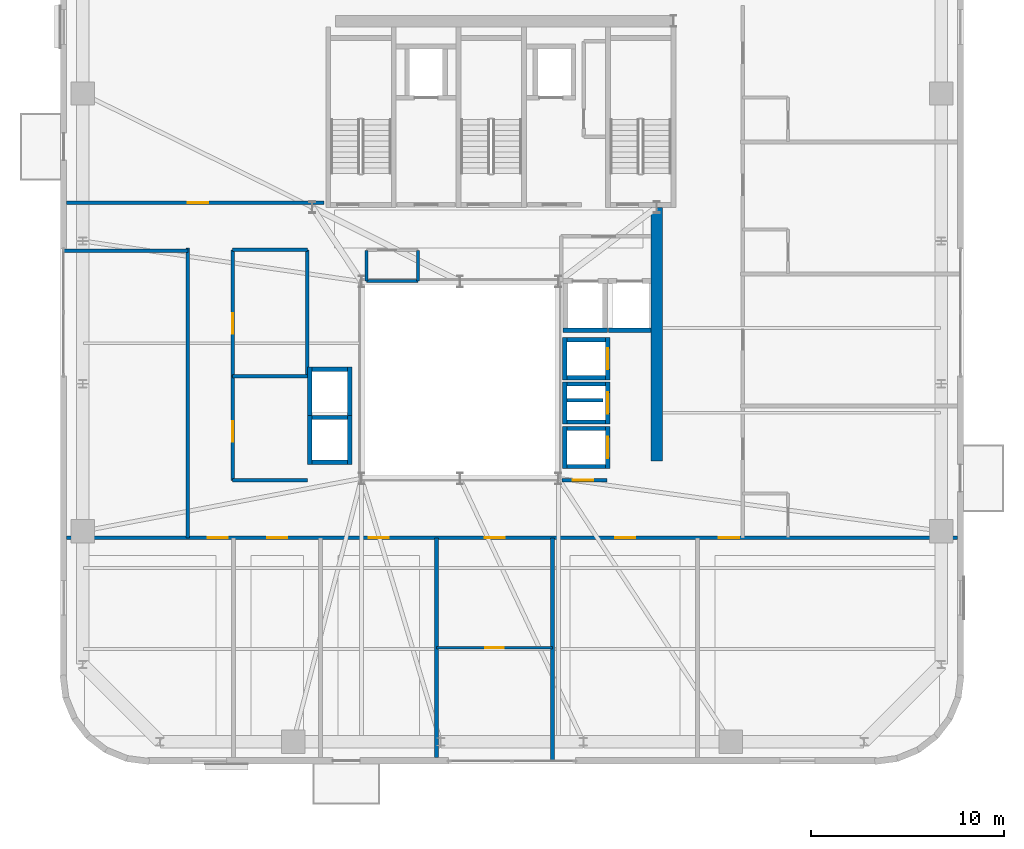
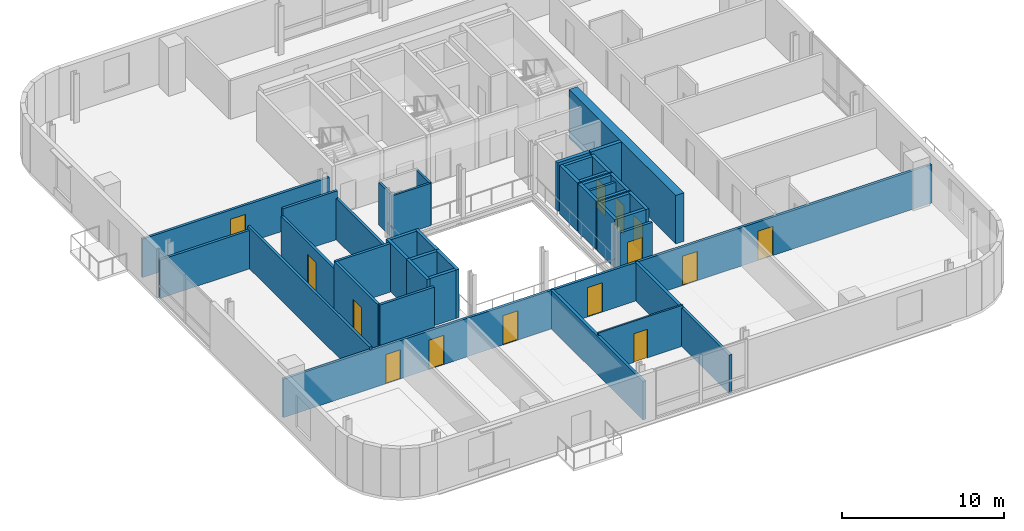
# One storey, part 8 of 15: 40 walls, 14 doors, 14 openings.
"""IFC4 building model written with IfcOpenShell, lengths in metres."""

from ifc_helpers import new_model, si_unit, direction, frame, frame_2d, origin, place, context, subcontext, project, spatial, rectangle, extrude, source, transform, mapped, material, layer, layer_set, type_object, element, fill, save


model = new_model("IFC4")

# Units and contexts
model_context = context("Model", 3, precision=1e-05, world=origin(), true_north=direction((0.0, 1.0)))
body_context = subcontext(model_context, "Body", "Model", "MODEL_VIEW")
ifc_project = project(units=[si_unit("LENGTHUNIT", "METRE"), si_unit("AREAUNIT", "SQUARE_METRE"), si_unit("VOLUMEUNIT", "CUBIC_METRE"), si_unit("PLANEANGLEUNIT", "RADIAN"), si_unit("MASSUNIT", "GRAM", prefix="KILO")], contexts=[model_context])

# Site, building, storey
site_placement = place(None, origin())
site = spatial("IfcSite", under=ifc_project, at=site_placement, CompositionType="ELEMENT")
building_placement = place(site_placement, origin())
building = spatial("IfcBuilding", under=site, at=building_placement, Name="Vardaveli Station Tower", CompositionType="ELEMENT")
storey_placement = place(building_placement, frame((0.0, 0.0, 250.60009765625)))
storey = spatial("IfcBuildingStorey", under=building, at=storey_placement, Name="L64", CompositionType="ELEMENT", Elevation=250.60009765625)

# Walls
ifc_material_1 = material(Name="Concrete C50/60", Category="concrete")
ifc_layer_1 = layer(ifc_material_1, 0.60009765625, Name="Concrete C50/60")
ifc_layer_set_1 = layer_set([ifc_layer_1], Name="Concrete C50/60")
wall_type_1 = type_object("IfcWallType", Name="WAL-CORE-600", PredefinedType="SHEAR", material=ifc_layer_set_1)
shared_shape_1 = source(origin(), body_context, "Body", "SweptSolid", [
    extrude(rectangle(XDim=13.14990234375, YDim=0.60009765625, at=frame_2d((6.574951171875, 0.0))), origin(), (0.0, 0.0, 1.0), 3.64990234375),
])
wall_1_placement = place(storey_placement, frame((46.5, 17.5, 0.0), z_axis=(0.0, 0.0, 1.0), x_axis=(0.0, 1.0, 0.0)))
element("IfcWall", 1, at=wall_1_placement, inside=storey, type_object=wall_type_1, Name="SW-L64-EAST2", PredefinedType="SHEAR", context=body_context, shape_type="MappedRepresentation", body=[
    mapped(shared_shape_1, transform((0.0, 0.0, 0.0), scale=1.0)),
])
ifc_material_2 = material(Name="Concrete C40/50", Category="concrete")
ifc_layer_2 = layer(ifc_material_2, 0.219970703125, Name="Concrete C40/50")
ifc_layer_set_2 = layer_set([ifc_layer_2], Name="Concrete C40/50")
wall_type_2 = type_object("IfcWallType", Name="WAL-FFLOBBY-220", PredefinedType="SOLIDWALL", material=ifc_layer_set_2)
shared_shape_2 = source(origin(), body_context, "Body", "SweptSolid", [
    extrude(rectangle(XDim=2.0, YDim=0.219970703125, at=frame_2d((1.0, 0.0))), origin(), (0.0, 0.0, 1.0), 3.64990234375),
])
for number, where, z_axis, x_axis, name in (
    (2, (41.85009765625, 21.81494140625, 0.0), (0.0, 0.0, 1.0), (1.0, 0.0, 0.0), "SHW-HL3-01-L64-S"),
    (3, (41.85009765625, 23.784912109375, 0.0), (0.0, 0.0, 1.0), (1.0, 0.0, 0.0), "SHW-HL3-01-L64-N"),
    (4, (41.85009765625, 19.514892578125, 0.0), (0.0, 0.0, 1.0), (1.0, 0.0, 0.0), "SHW-HL3-02-L64-S"),
    (5, (41.85009765625, 21.485107421875, 0.0), (0.0, 0.0, 1.0), (1.0, 0.0, 0.0), "SHW-HL3-02-L64-N"),
    (6, (41.85009765625, 17.215087890625, 0.0), (0.0, 0.0, 1.0), (1.0, 0.0, 0.0), "SHW-HL3-03-L64-S"),
    (7, (41.85009765625, 19.18505859375, 0.0), (0.0, 0.0, 1.0), (1.0, 0.0, 0.0), "SHW-HL3-03-L64-N"),
):
    element("IfcWall", number, at=place(storey_placement, frame(where, z_axis=z_axis, x_axis=x_axis)), inside=storey, type_object=wall_type_2, Name=name, PredefinedType="SOLIDWALL", context=body_context, shape_type="MappedRepresentation", body=[
        mapped(shared_shape_2, transform((0.0, 0.0, 0.0), scale=1.0)),
    ])
shared_shape_3 = source(origin(), body_context, "Body", "SweptSolid", [
    extrude(rectangle(XDim=2.18994140625, YDim=0.219970703125, at=frame_2d((1.094970703125, 0.0))), origin(), (0.0, 0.0, 1.0), 3.64990234375),
])
wall_2_placement = place(storey_placement, frame((41.739990234375, 21.705078125, 0.0), z_axis=(0.0, 0.0, 1.0), x_axis=(0.0, 1.0, 0.0)))
element("IfcWall", 8, at=wall_2_placement, inside=storey, type_object=wall_type_2, Name="SHW-HL3-01-L64-W", PredefinedType="SOLIDWALL", context=body_context, shape_type="MappedRepresentation", body=[
    mapped(shared_shape_3, transform((0.0, 0.0, 0.0), scale=1.0)),
])

# Wall, opening, door
wall_3_placement = place(storey_placement, frame((43.9599609375, 21.705078125, 0.0), z_axis=(0.0, 0.0, 1.0), x_axis=(0.0, 1.0, 0.0)))
wall_3 = element("IfcWall", 9, at=wall_3_placement, inside=storey, type_object=wall_type_2, Name="SHW-HL3-01-L64-E", PredefinedType="SOLIDWALL", context=body_context, shape_type="MappedRepresentation", body=[
    mapped(shared_shape_3, transform((0.0, 0.0, 0.0), scale=1.0)),
])
shared_shape_4 = source(origin(), body_context, "Body", "SweptSolid", [
    extrude(rectangle(XDim=1.10009765625, YDim=2.199951171875, at=frame_2d((0.550048828125, 1.10009765625))), frame((0.0, 0.1201171875, 0.0), z_axis=(0.0, -1.0, 0.0), x_axis=(1.0, 0.0, 0.0)), (0.0, 0.0, 1.0), 0.239990234375),
])
opening_1_placement = place(wall_3_placement, frame((0.544921875, 0.0, 0.0)))
opening_1 = element("IfcOpeningElement", 10, at=opening_1_placement, cuts=wall_3, Name="Opening LD-01", PredefinedType="OPENING", context=body_context, shape_type="MappedRepresentation", body=[
    mapped(shared_shape_4, transform((0.0, 0.0, 0.0), scale=1.0)),
])
ifc_material_3 = material(Name="Brushed stainless steel", Category="steel")
door_type_1 = type_object("IfcDoorType", Name="DR-LD-1100x2200", OperationType="DOUBLE_DOOR_SLIDING", PredefinedType="DOOR", material=ifc_material_3)
shared_shape_5 = source(origin(), body_context, "Body", "SweptSolid", [
    extrude(rectangle(XDim=1.10009765625, YDim=2.199951171875, at=frame_2d((0.550048828125, 1.10009765625))), frame((0.0, 0.02490234375, 0.0), z_axis=(0.0, -1.0, 0.0), x_axis=(1.0, 0.0, 0.0)), (0.0, 0.0, 1.0), 0.050048828125),
])
door_1_placement = place(opening_1_placement, origin())
door_1 = element("IfcDoor", 11, at=door_1_placement, inside=storey, type_object=door_type_1, Name="LD-HL3-01-L64", OperationType="DOUBLE_DOOR_SLIDING", OverallHeight=2.199951171875, OverallWidth=1.10009765625, PredefinedType="DOOR", context=body_context, shape_type="MappedRepresentation", body=[
    mapped(shared_shape_5, transform((0.0, 0.0, 0.0), scale=1.0)),
])
fill(opening_1, door_1)

# Wall
wall_4_placement = place(storey_placement, frame((41.739990234375, 19.405029296875, 0.0), z_axis=(0.0, 0.0, 1.0), x_axis=(0.0, 1.0, 0.0)))
element("IfcWall", 12, at=wall_4_placement, inside=storey, type_object=wall_type_2, Name="SHW-HL3-02-L64-W", PredefinedType="SOLIDWALL", context=body_context, shape_type="MappedRepresentation", body=[
    mapped(shared_shape_3, transform((0.0, 0.0, 0.0), scale=1.0)),
])

# Wall, opening, door
wall_5_placement = place(storey_placement, frame((43.9599609375, 19.405029296875, 0.0), z_axis=(0.0, 0.0, 1.0), x_axis=(0.0, 1.0, 0.0)))
wall_5 = element("IfcWall", 13, at=wall_5_placement, inside=storey, type_object=wall_type_2, Name="SHW-HL3-02-L64-E", PredefinedType="SOLIDWALL", context=body_context, shape_type="MappedRepresentation", body=[
    mapped(shared_shape_3, transform((0.0, 0.0, 0.0), scale=1.0)),
])
opening_2_placement = place(wall_5_placement, frame((0.544921875, 0.0, 0.0)))
opening_2 = element("IfcOpeningElement", 14, at=opening_2_placement, cuts=wall_5, Name="Opening LD-01", PredefinedType="OPENING", context=body_context, shape_type="MappedRepresentation", body=[
    mapped(shared_shape_4, transform((0.0, 0.0, 0.0), scale=1.0)),
])
door_2_placement = place(opening_2_placement, origin())
door_2 = element("IfcDoor", 15, at=door_2_placement, inside=storey, type_object=door_type_1, Name="LD-HL3-02-L64", OperationType="DOUBLE_DOOR_SLIDING", OverallHeight=2.199951171875, OverallWidth=1.10009765625, PredefinedType="DOOR", context=body_context, shape_type="MappedRepresentation", body=[
    mapped(shared_shape_5, transform((0.0, 0.0, 0.0), scale=1.0)),
])
fill(opening_2, door_2)

# Wall
wall_6_placement = place(storey_placement, frame((41.739990234375, 17.10498046875, 0.0), z_axis=(0.0, 0.0, 1.0), x_axis=(0.0, 1.0, 0.0)))
element("IfcWall", 16, at=wall_6_placement, inside=storey, type_object=wall_type_2, Name="SHW-HL3-03-L64-W", PredefinedType="SOLIDWALL", context=body_context, shape_type="MappedRepresentation", body=[
    mapped(shared_shape_3, transform((0.0, 0.0, 0.0), scale=1.0)),
])

# Wall, opening, door
wall_7_placement = place(storey_placement, frame((43.9599609375, 17.10498046875, 0.0), z_axis=(0.0, 0.0, 1.0), x_axis=(0.0, 1.0, 0.0)))
wall_7 = element("IfcWall", 17, at=wall_7_placement, inside=storey, type_object=wall_type_2, Name="SHW-HL3-03-L64-E", PredefinedType="SOLIDWALL", context=body_context, shape_type="MappedRepresentation", body=[
    mapped(shared_shape_3, transform((0.0, 0.0, 0.0), scale=1.0)),
])
opening_3_placement = place(wall_7_placement, frame((0.544921875, 0.0, 0.0)))
opening_3 = element("IfcOpeningElement", 18, at=opening_3_placement, cuts=wall_7, Name="Opening LD-01", PredefinedType="OPENING", context=body_context, shape_type="MappedRepresentation", body=[
    mapped(shared_shape_4, transform((0.0, 0.0, 0.0), scale=1.0)),
])
door_3_placement = place(opening_3_placement, origin())
door_3 = element("IfcDoor", 19, at=door_3_placement, inside=storey, type_object=door_type_1, Name="LD-HL3-03-L64", OperationType="DOUBLE_DOOR_SLIDING", OverallHeight=2.199951171875, OverallWidth=1.10009765625, PredefinedType="DOOR", context=body_context, shape_type="MappedRepresentation", body=[
    mapped(shared_shape_5, transform((0.0, 0.0, 0.0), scale=1.0)),
])
fill(opening_3, door_3)

# Walls
shared_shape_6 = source(origin(), body_context, "Body", "SweptSolid", [
    extrude(rectangle(XDim=1.85009765625, YDim=0.219970703125, at=frame_2d((0.925048828125, 0.0))), origin(), (0.0, 0.0, 1.0), 3.64990234375),
])
for number, where, z_axis, x_axis, name in (
    (20, (28.625, 17.43994140625, 0.0), (0.0, 0.0, 1.0), (1.0, 0.0, 0.0), "SHW-OBS-01-L64-S"),
    (21, (28.625, 19.760009765625, 0.0), (0.0, 0.0, 1.0), (1.0, 0.0, 0.0), "SHW-OBS-01-L64-N"),
    (22, (28.625, 22.260009765625, 0.0), (0.0, 0.0, 1.0), (1.0, 0.0, 0.0), "SHW-OBS-02-L64-N"),
):
    element("IfcWall", number, at=place(storey_placement, frame(where, z_axis=z_axis, x_axis=x_axis)), inside=storey, type_object=wall_type_2, Name=name, PredefinedType="SOLIDWALL", context=body_context, shape_type="MappedRepresentation", body=[
        mapped(shared_shape_6, transform((0.0, 0.0, 0.0), scale=1.0)),
    ])
shared_shape_7 = source(origin(), body_context, "Body", "SweptSolid", [
    extrude(rectangle(XDim=2.5400390625, YDim=0.219970703125, at=frame_2d((1.27001953125, 0.0))), origin(), (0.0, 0.0, 1.0), 3.64990234375),
])
for number, where, z_axis, x_axis, name in (
    (23, (28.514892578125, 17.330078125, 0.0), (0.0, 0.0, 1.0), (0.0, 1.0, 0.0), "SHW-OBS-01-L64-W"),
    (24, (30.5849609375, 17.330078125, 0.0), (0.0, 0.0, 1.0), (0.0, 1.0, 0.0), "SHW-OBS-01-L64-E"),
    (25, (28.514892578125, 19.830078125, 0.0), (0.0, 0.0, 1.0), (0.0, 1.0, 0.0), "SHW-OBS-02-L64-W"),
    (26, (30.5849609375, 19.830078125, 0.0), (0.0, 0.0, 1.0), (0.0, 1.0, 0.0), "SHW-OBS-02-L64-E"),
):
    element("IfcWall", number, at=place(storey_placement, frame(where, z_axis=z_axis, x_axis=x_axis)), inside=storey, type_object=wall_type_2, Name=name, PredefinedType="SOLIDWALL", context=body_context, shape_type="MappedRepresentation", body=[
        mapped(shared_shape_7, transform((0.0, 0.0, 0.0), scale=1.0)),
    ])
ifc_layer_3 = layer(ifc_material_2, 0.25, Name="Concrete C40/50")
ifc_layer_set_3 = layer_set([ifc_layer_3], Name="Concrete C40/50")
wall_type_3 = type_object("IfcWallType", Name="WAL-SHAFT-250", PredefinedType="SOLIDWALL", material=ifc_layer_set_3)
shared_shape_8 = source(origin(), body_context, "Body", "SweptSolid", [
    extrude(rectangle(XDim=2.300048828125, YDim=0.25, at=frame_2d((1.14990234375, 0.0))), origin(), (0.0, 0.0, 1.0), 3.64990234375),
])
wall_8_placement = place(storey_placement, frame((41.64990234375, 24.27490234375, 0.0), z_axis=(0.0, 0.0, 1.0), x_axis=(1.0, 0.0, 0.0)))
element("IfcWall", 27, at=wall_8_placement, inside=storey, type_object=wall_type_3, Name="SHW-SRV-01-L64-S", PredefinedType="SOLIDWALL", context=body_context, shape_type="MappedRepresentation", body=[
    mapped(shared_shape_8, transform((0.0, 0.0, 0.0), scale=1.0)),
])
shared_shape_9 = source(origin(), body_context, "Body", "SweptSolid", [
    extrude(rectangle(XDim=2.199951171875, YDim=0.25, at=frame_2d((1.10009765625, 0.0))), origin(), (0.0, 0.0, 1.0), 3.64990234375),
])
wall_9_placement = place(storey_placement, frame((44.0, 24.27490234375, 0.0), z_axis=(0.0, 0.0, 1.0), x_axis=(1.0, 0.0, 0.0)))
element("IfcWall", 28, at=wall_9_placement, inside=storey, type_object=wall_type_3, Name="SHW-SRV-02-L64-S", PredefinedType="SOLIDWALL", context=body_context, shape_type="MappedRepresentation", body=[
    mapped(shared_shape_9, transform((0.0, 0.0, 0.0), scale=1.0)),
])

# Wall, openings, doors
ifc_material_4 = material(Name="Fire-rated gypsum stud partition")
ifc_layer_4 = layer(ifc_material_4, 0.179931640625, Name="Fire-rated gypsum stud partition")
ifc_layer_set_4 = layer_set([ifc_layer_4], Name="Fire-rated gypsum stud partition")
wall_type_4 = type_object("IfcWallType", Name="WAL-CORR-180", PredefinedType="PARTITIONING", material=ifc_layer_set_4)
shared_shape_10 = source(origin(), body_context, "Body", "SweptSolid", [
    extrude(rectangle(XDim=46.15576171875, YDim=0.179931640625, at=frame_2d((23.077880859375, 0.0))), origin(), (0.0, 0.0, 1.0), 2.891845703125),
])
wall_10_placement = place(storey_placement, frame((15.922119140625, 13.510009765625, 0.0), z_axis=(0.0, 0.0, 1.0), x_axis=(1.0, 0.0, 0.0)))
wall_10 = element("IfcWall", 29, at=wall_10_placement, inside=storey, type_object=wall_type_4, Name="W-L64-CS", PredefinedType="PARTITIONING", context=body_context, shape_type="MappedRepresentation", body=[
    mapped(shared_shape_10, transform((0.0, 0.0, 0.0), scale=1.0)),
])
shared_shape_11 = source(origin(), body_context, "Body", "SweptSolid", [
    extrude(rectangle(XDim=1.050048828125, YDim=2.199951171875, at=frame_2d((0.52490234375, 1.10009765625))), frame((0.0, 0.10009765625, 0.0), z_axis=(0.0, -1.0, 0.0), x_axis=(1.0, 0.0, 0.0)), (0.0, 0.0, 1.0), 0.199951171875),
])
opening_4_placement = place(wall_10_placement, frame((7.298095703125, 0.0, 0.0)))
opening_4 = element("IfcOpeningElement", 30, at=opening_4_placement, cuts=wall_10, Name="Opening D-05", PredefinedType="OPENING", context=body_context, shape_type="MappedRepresentation", body=[
    mapped(shared_shape_11, transform((0.0, 0.0, 0.0), scale=1.0)),
])
opening_5_placement = place(wall_10_placement, frame((10.38427734375, 0.0, 0.0)))
opening_5 = element("IfcOpeningElement", 31, at=opening_5_placement, cuts=wall_10, Name="Opening D-05", PredefinedType="OPENING", context=body_context, shape_type="MappedRepresentation", body=[
    mapped(shared_shape_11, transform((0.0, 0.0, 0.0), scale=1.0)),
])
opening_6_placement = place(wall_10_placement, frame((15.646728515625, 0.0, 0.0)))
opening_6 = element("IfcOpeningElement", 32, at=opening_6_placement, cuts=wall_10, Name="Opening D-05", PredefinedType="OPENING", context=body_context, shape_type="MappedRepresentation", body=[
    mapped(shared_shape_11, transform((0.0, 0.0, 0.0), scale=1.0)),
])
opening_7_placement = place(wall_10_placement, frame((21.6591796875, 0.0, 0.0)))
opening_7 = element("IfcOpeningElement", 33, at=opening_7_placement, cuts=wall_10, Name="Opening D-05", PredefinedType="OPENING", context=body_context, shape_type="MappedRepresentation", body=[
    mapped(shared_shape_11, transform((0.0, 0.0, 0.0), scale=1.0)),
])
opening_8_placement = place(wall_10_placement, frame((28.421630859375, 0.0, 0.0)))
opening_8 = element("IfcOpeningElement", 34, at=opening_8_placement, cuts=wall_10, Name="Opening D-05", PredefinedType="OPENING", context=body_context, shape_type="MappedRepresentation", body=[
    mapped(shared_shape_11, transform((0.0, 0.0, 0.0), scale=1.0)),
])
opening_9_placement = place(wall_10_placement, frame((33.798095703125, 0.0, 0.0)))
opening_9 = element("IfcOpeningElement", 35, at=opening_9_placement, cuts=wall_10, Name="Opening D-05", PredefinedType="OPENING", context=body_context, shape_type="MappedRepresentation", body=[
    mapped(shared_shape_11, transform((0.0, 0.0, 0.0), scale=1.0)),
])
ifc_material_5 = material(Name="Walnut veneer acoustic fire door")
door_type_2 = type_object("IfcDoorType", Name="DR-SUITE-1050x2200", OperationType="NOTDEFINED", PredefinedType="DOOR", material=ifc_material_5)
shared_shape_12 = source(origin(), body_context, "Body", "SweptSolid", [
    extrude(rectangle(XDim=1.050048828125, YDim=2.199951171875, at=frame_2d((0.52490234375, 1.10009765625))), frame((0.0, 0.02490234375, 0.0), z_axis=(0.0, -1.0, 0.0), x_axis=(1.0, 0.0, 0.0)), (0.0, 0.0, 1.0), 0.050048828125),
])
door_4_placement = place(opening_4_placement, origin())
door_4 = element("IfcDoor", 36, at=door_4_placement, inside=storey, type_object=door_type_2, Name="D-L64-SA1", OperationType="SINGLE_SWING_LEFT", OverallHeight=2.199951171875, OverallWidth=1.050048828125, PredefinedType="DOOR", context=body_context, shape_type="MappedRepresentation", body=[
    mapped(shared_shape_12, transform((0.0, 0.0, 0.0), scale=1.0)),
])
fill(opening_4, door_4)
door_5_placement = place(opening_5_placement, origin())
door_5 = element("IfcDoor", 37, at=door_5_placement, inside=storey, type_object=door_type_2, Name="D-L64-SA2", OperationType="SINGLE_SWING_RIGHT", OverallHeight=2.199951171875, OverallWidth=1.050048828125, PredefinedType="DOOR", context=body_context, shape_type="MappedRepresentation", body=[
    mapped(shared_shape_12, transform((0.0, 0.0, 0.0), scale=1.0)),
])
fill(opening_5, door_5)
door_6_placement = place(opening_6_placement, origin())
door_6 = element("IfcDoor", 38, at=door_6_placement, inside=storey, type_object=door_type_2, Name="D-L64-SA3", OperationType="SINGLE_SWING_LEFT", OverallHeight=2.199951171875, OverallWidth=1.050048828125, PredefinedType="DOOR", context=body_context, shape_type="MappedRepresentation", body=[
    mapped(shared_shape_12, transform((0.0, 0.0, 0.0), scale=1.0)),
])
fill(opening_6, door_6)
door_7_placement = place(opening_7_placement, origin())
door_7 = element("IfcDoor", 39, at=door_7_placement, inside=storey, type_object=door_type_2, Name="D-L64-SCB4", OperationType="SINGLE_SWING_RIGHT", OverallHeight=2.199951171875, OverallWidth=1.050048828125, PredefinedType="DOOR", context=body_context, shape_type="MappedRepresentation", body=[
    mapped(shared_shape_12, transform((0.0, 0.0, 0.0), scale=1.0)),
])
fill(opening_7, door_7)
door_8_placement = place(opening_8_placement, origin())
door_8 = element("IfcDoor", 40, at=door_8_placement, inside=storey, type_object=door_type_2, Name="D-L64-SA5", OperationType="SINGLE_SWING_LEFT", OverallHeight=2.199951171875, OverallWidth=1.050048828125, PredefinedType="DOOR", context=body_context, shape_type="MappedRepresentation", body=[
    mapped(shared_shape_12, transform((0.0, 0.0, 0.0), scale=1.0)),
])
fill(opening_8, door_8)
door_9_placement = place(opening_9_placement, origin())
door_9 = element("IfcDoor", 41, at=door_9_placement, inside=storey, type_object=door_type_2, Name="D-L64-SA6", OperationType="SINGLE_SWING_RIGHT", OverallHeight=2.199951171875, OverallWidth=1.050048828125, PredefinedType="DOOR", context=body_context, shape_type="MappedRepresentation", body=[
    mapped(shared_shape_12, transform((0.0, 0.0, 0.0), scale=1.0)),
])
fill(opening_9, door_9)

# Wall, opening, door
shared_shape_13 = source(origin(), body_context, "Body", "SweptSolid", [
    extrude(rectangle(XDim=13.327880859375, YDim=0.179931640625, at=frame_2d((6.6640625, 0.0))), origin(), (0.0, 0.0, 1.0), 2.891845703125),
])
wall_11_placement = place(storey_placement, frame((15.922119140625, 30.8798828125, 0.0), z_axis=(0.0, 0.0, 1.0), x_axis=(1.0, 0.0, 0.0)))
wall_11 = element("IfcWall", 42, at=wall_11_placement, inside=storey, type_object=wall_type_4, Name="W-L64-CNWS", PredefinedType="PARTITIONING", context=body_context, shape_type="MappedRepresentation", body=[
    mapped(shared_shape_13, transform((0.0, 0.0, 0.0), scale=1.0)),
])
opening_10_placement = place(wall_11_placement, frame((6.278076171875, 0.0, 0.0)))
opening_10 = element("IfcOpeningElement", 43, at=opening_10_placement, cuts=wall_11, Name="Opening D-05", PredefinedType="OPENING", context=body_context, shape_type="MappedRepresentation", body=[
    mapped(shared_shape_11, transform((0.0, 0.0, 0.0), scale=1.0)),
])
door_10_placement = place(opening_10_placement, origin())
door_10 = element("IfcDoor", 44, at=door_10_placement, inside=storey, type_object=door_type_2, Name="D-L64-GNW1", OperationType="SINGLE_SWING_RIGHT", OverallHeight=2.199951171875, OverallWidth=1.050048828125, PredefinedType="DOOR", context=body_context, shape_type="MappedRepresentation", body=[
    mapped(shared_shape_12, transform((0.0, 0.0, 0.0), scale=1.0)),
])
fill(opening_10, door_10)

shared_shape_14 = source(origin(), body_context, "Body", "SweptSolid", [
    extrude(rectangle(XDim=6.5400390625, YDim=0.179931640625, at=frame_2d((3.27001953125, 0.0))), origin(), (0.0, 0.0, 1.0), 3.091796875),
])
wall_12_placement = place(storey_placement, frame((24.52001953125, 21.89990234375, 0.0), z_axis=(0.0, 0.0, 1.0), x_axis=(0.0, 1.0, 0.0)))
wall_12 = element("IfcWall", 45, at=wall_12_placement, inside=storey, type_object=wall_type_4, Name="W-L64-ATW2-W", PredefinedType="PARTITIONING", context=body_context, shape_type="MappedRepresentation", body=[
    mapped(shared_shape_14, transform((0.0, 0.0, 0.0), scale=1.0)),
])
opening_11_placement = place(wall_12_placement, frame((2.199951171875, 0.0, 0.0)))
opening_11 = element("IfcOpeningElement", 46, at=opening_11_placement, cuts=wall_12, Name="Opening D-05", PredefinedType="OPENING", context=body_context, shape_type="MappedRepresentation", body=[
    mapped(shared_shape_11, transform((0.0, 0.0, 0.0), scale=1.0)),
])
door_11_placement = place(opening_11_placement, origin())
door_11 = element("IfcDoor", 47, at=door_11_placement, inside=storey, type_object=door_type_2, Name="D-L64-ATW2", OperationType="SINGLE_SWING_LEFT", OverallHeight=2.199951171875, OverallWidth=1.050048828125, PredefinedType="DOOR", context=body_context, shape_type="MappedRepresentation", body=[
    mapped(shared_shape_12, transform((0.0, 0.0, 0.0), scale=1.0)),
])
fill(opening_11, door_11)

# Wall
wall_13_placement = place(storey_placement, frame((28.39990234375, 21.89990234375, 0.0), z_axis=(0.0, 0.0, 1.0), x_axis=(0.0, 1.0, 0.0)))
element("IfcWall", 48, at=wall_13_placement, inside=storey, type_object=wall_type_4, Name="W-L64-ATW2-E", PredefinedType="PARTITIONING", context=body_context, shape_type="MappedRepresentation", body=[
    mapped(shared_shape_14, transform((0.0, 0.0, 0.0), scale=1.0)),
])

# Wall, opening, door
ifc_material_6 = material(Name="Gypsum board stud partition")
ifc_layer_5 = layer(ifc_material_6, 0.125, Name="Gypsum board stud partition")
ifc_layer_set_5 = layer_set([ifc_layer_5], Name="Gypsum board stud partition")
wall_type_5 = type_object("IfcWallType", Name="WAL-INT-125", PredefinedType="PARTITIONING", material=ifc_layer_set_5)
shared_shape_15 = source(origin(), body_context, "Body", "SweptSolid", [
    extrude(rectangle(XDim=6.012939453125, YDim=0.125, at=frame_2d((3.00634765625, 0.0))), origin(), (0.0, 0.0, 1.0), 3.091796875),
])
wall_14_placement = place(storey_placement, frame((35.094970703125, 7.830078125, 0.0), z_axis=(0.0, 0.0, 1.0), x_axis=(1.0, 0.0, 0.0)))
wall_14 = element("IfcWall", 49, at=wall_14_placement, inside=storey, type_object=wall_type_5, Name="W-L64-SCM4", PredefinedType="PARTITIONING", context=body_context, shape_type="MappedRepresentation", body=[
    mapped(shared_shape_15, transform((0.0, 0.0, 0.0), scale=1.0)),
])
shared_shape_16 = source(origin(), body_context, "Body", "SweptSolid", [
    extrude(rectangle(XDim=0.949951171875, YDim=2.14990234375, at=frame_2d((0.47509765625, 1.074951171875))), frame((0.0, 0.072509765625, 0.0), z_axis=(0.0, -1.0, 0.0), x_axis=(1.0, 0.0, 0.0)), (0.0, 0.0, 1.0), 0.14501953125),
])
opening_12_placement = place(wall_14_placement, frame((2.5263671875, 0.0, 0.0)))
opening_12 = element("IfcOpeningElement", 50, at=opening_12_placement, cuts=wall_14, Name="Opening D-11", PredefinedType="OPENING", context=body_context, shape_type="MappedRepresentation", body=[
    mapped(shared_shape_16, transform((0.0, 0.0, 0.0), scale=1.0)),
])
ifc_material_7 = material(Name="Oak veneer internal suite door")
door_type_3 = type_object("IfcDoorType", Name="DR-INT-950x2150", OperationType="NOTDEFINED", PredefinedType="DOOR", material=ifc_material_7)
shared_shape_17 = source(origin(), body_context, "Body", "SweptSolid", [
    extrude(rectangle(XDim=0.949951171875, YDim=2.14990234375, at=frame_2d((0.47509765625, 1.074951171875))), frame((0.0, 0.02490234375, 0.0), z_axis=(0.0, -1.0, 0.0), x_axis=(1.0, 0.0, 0.0)), (0.0, 0.0, 1.0), 0.050048828125),
])
door_12_placement = place(opening_12_placement, origin())
door_12 = element("IfcDoor", 51, at=door_12_placement, inside=storey, type_object=door_type_3, Name="D-L64-SCF4", OperationType="SINGLE_SWING_RIGHT", OverallHeight=2.14990234375, OverallWidth=0.949951171875, PredefinedType="DOOR", context=body_context, shape_type="MappedRepresentation", body=[
    mapped(shared_shape_17, transform((0.0, 0.0, 0.0), scale=1.0)),
])
fill(opening_12, door_12)

shared_shape_18 = source(origin(), body_context, "Body", "SweptSolid", [
    extrude(rectangle(XDim=5.39990234375, YDim=0.179931640625, at=frame_2d((2.699951171875, 0.0))), origin(), (0.0, 0.0, 1.0), 3.64990234375),
])
wall_15_placement = place(storey_placement, frame((24.52001953125, 16.5, 0.0), z_axis=(0.0, 0.0, 1.0), x_axis=(0.0, 1.0, 0.0)))
wall_15 = element("IfcWall", 52, at=wall_15_placement, inside=storey, type_object=wall_type_4, Name="W-L64-ATW1-W", PredefinedType="PARTITIONING", context=body_context, shape_type="MappedRepresentation", body=[
    mapped(shared_shape_18, transform((0.0, 0.0, 0.0), scale=1.0)),
])
opening_13_placement = place(wall_15_placement, frame((2.0, 0.0, 0.0)))
opening_13 = element("IfcOpeningElement", 53, at=opening_13_placement, cuts=wall_15, Name="Opening D-05", PredefinedType="OPENING", context=body_context, shape_type="MappedRepresentation", body=[
    mapped(shared_shape_11, transform((0.0, 0.0, 0.0), scale=1.0)),
])
door_13_placement = place(opening_13_placement, origin())
door_13 = element("IfcDoor", 54, at=door_13_placement, inside=storey, type_object=door_type_2, Name="D-L64-ATW1", OperationType="SINGLE_SWING_LEFT", OverallHeight=2.199951171875, OverallWidth=1.050048828125, PredefinedType="DOOR", context=body_context, shape_type="MappedRepresentation", body=[
    mapped(shared_shape_12, transform((0.0, 0.0, 0.0), scale=1.0)),
])
fill(opening_13, door_13)

shared_shape_19 = source(origin(), body_context, "Body", "SweptSolid", [
    extrude(rectangle(XDim=2.329833984375, YDim=0.179931640625, at=frame_2d((1.1650390625, 0.0))), origin(), (0.0, 0.0, 1.0), 3.091796875),
])
wall_16_placement = place(storey_placement, frame((41.60009765625, 16.5, 0.0), z_axis=(0.0, 0.0, 1.0), x_axis=(1.0, 0.0, 0.0)))
wall_16 = element("IfcWall", 55, at=wall_16_placement, inside=storey, type_object=wall_type_4, Name="W-L64-ATE-S", PredefinedType="PARTITIONING", context=body_context, shape_type="MappedRepresentation", body=[
    mapped(shared_shape_19, transform((0.0, 0.0, 0.0), scale=1.0)),
])
opening_14_placement = place(wall_16_placement, frame((0.550048828125, 0.0, 0.0)))
opening_14 = element("IfcOpeningElement", 56, at=opening_14_placement, cuts=wall_16, Name="Opening D-05", PredefinedType="OPENING", context=body_context, shape_type="MappedRepresentation", body=[
    mapped(shared_shape_11, transform((0.0, 0.0, 0.0), scale=1.0)),
])
door_14_placement = place(opening_14_placement, origin())
door_14 = element("IfcDoor", 57, at=door_14_placement, inside=storey, type_object=door_type_2, Name="D-L64-ATE1", OperationType="SINGLE_SWING_RIGHT", OverallHeight=2.199951171875, OverallWidth=1.050048828125, PredefinedType="DOOR", context=body_context, shape_type="MappedRepresentation", body=[
    mapped(shared_shape_12, transform((0.0, 0.0, 0.0), scale=1.0)),
])
fill(opening_14, door_14)

# Walls
shared_shape_20 = source(origin(), body_context, "Body", "SweptSolid", [
    extrude(rectangle(XDim=15.0400390625, YDim=0.179931640625, at=frame_2d((7.52001953125, 0.0))), origin(), (0.0, 0.0, 1.0), 3.091796875),
])
wall_17_placement = place(storey_placement, frame((22.199951171875, 13.510009765625, 0.0), z_axis=(0.0, 0.0, 1.0), x_axis=(0.0, 1.0, 0.0)))
element("IfcWall", 58, at=wall_17_placement, inside=storey, type_object=wall_type_4, Name="W-L64-CW", PredefinedType="PARTITIONING", context=body_context, shape_type="MappedRepresentation", body=[
    mapped(shared_shape_20, transform((0.0, 0.0, 0.0), scale=1.0)),
])
ifc_material_8 = material(Name="Acoustic twin-stud gypsum partition")
ifc_layer_6 = layer(ifc_material_8, 0.199951171875, Name="Acoustic twin-stud gypsum partition")
ifc_layer_set_6 = layer_set([ifc_layer_6], Name="Acoustic twin-stud gypsum partition")
wall_type_6 = type_object("IfcWallType", Name="WAL-PARTY-200", PredefinedType="PARTITIONING", material=ifc_layer_set_6)
shared_shape_21 = source(origin(), body_context, "Body", "SweptSolid", [
    extrude(rectangle(XDim=11.387939453125, YDim=0.199951171875, at=frame_2d((5.69384765625, 0.0))), origin(), (0.0, 0.0, 1.0), 2.891845703125),
])
wall_18_placement = place(storey_placement, frame((35.094970703125, 2.1220703125, 0.0), z_axis=(0.0, 0.0, 1.0), x_axis=(0.0, 1.0, 0.0)))
element("IfcWall", 59, at=wall_18_placement, inside=storey, type_object=wall_type_6, Name="W-L64-PS3", PredefinedType="PARTITIONING", context=body_context, shape_type="MappedRepresentation", body=[
    mapped(shared_shape_21, transform((0.0, 0.0, 0.0), scale=1.0)),
])
shared_shape_22 = source(origin(), body_context, "Body", "SweptSolid", [
    extrude(rectangle(XDim=11.580078125, YDim=0.199951171875, at=frame_2d((5.7900390625, 0.0))), origin(), (0.0, 0.0, 1.0), 2.891845703125),
])
wall_19_placement = place(storey_placement, frame((41.10791015625, 1.929931640625, 0.0), z_axis=(0.0, 0.0, 1.0), x_axis=(0.0, 1.0, 0.0)))
element("IfcWall", 60, at=wall_19_placement, inside=storey, type_object=wall_type_6, Name="W-L64-PS4", PredefinedType="PARTITIONING", context=body_context, shape_type="MappedRepresentation", body=[
    mapped(shared_shape_22, transform((0.0, 0.0, 0.0), scale=1.0)),
])
shared_shape_23 = source(origin(), body_context, "Body", "SweptSolid", [
    extrude(rectangle(XDim=6.469970703125, YDim=0.179931640625, at=frame_2d((3.23486328125, 0.0))), origin(), (0.0, 0.0, 1.0), 2.891845703125),
])
wall_20_placement = place(storey_placement, frame((15.72998046875, 28.39990234375, 0.0), z_axis=(0.0, 0.0, 1.0), x_axis=(1.0, 0.0, 0.0)))
element("IfcWall", 61, at=wall_20_placement, inside=storey, type_object=wall_type_4, Name="W-L64-CWN", PredefinedType="PARTITIONING", context=body_context, shape_type="MappedRepresentation", body=[
    mapped(shared_shape_23, transform((0.0, 0.0, 0.0), scale=1.0)),
])
shared_shape_24 = source(origin(), body_context, "Body", "SweptSolid", [
    extrude(rectangle(XDim=3.8798828125, YDim=0.179931640625, at=frame_2d((1.93994140625, 0.0))), origin(), (0.0, 0.0, 1.0), 3.64990234375),
])
for number, where, z_axis, x_axis, name in (
    (62, (24.52001953125, 16.5, 0.0), (0.0, 0.0, 1.0), (1.0, 0.0, 0.0), "W-L64-ATW1-S"),
    (63, (24.52001953125, 21.89990234375, 0.0), (0.0, 0.0, 1.0), (1.0, 0.0, 0.0), "W-L64-ATW1-N"),
    (64, (24.52001953125, 28.43994140625, 0.0), (0.0, 0.0, 1.0), (1.0, 0.0, 0.0), "W-L64-ATW2-N"),
):
    element("IfcWall", number, at=place(storey_placement, frame(where, z_axis=z_axis, x_axis=x_axis)), inside=storey, type_object=wall_type_4, Name=name, PredefinedType="PARTITIONING", context=body_context, shape_type="MappedRepresentation", body=[
        mapped(shared_shape_24, transform((0.0, 0.0, 0.0), scale=1.0)),
    ])
ifc_material_9 = material(Name="Moisture-resistant stud partition")
ifc_layer_7 = layer(ifc_material_9, 0.14990234375, Name="Moisture-resistant stud partition")
ifc_layer_set_7 = layer_set([ifc_layer_7], Name="Moisture-resistant stud partition")
wall_type_7 = type_object("IfcWallType", Name="WAL-WET-150", PredefinedType="PARTITIONING", material=ifc_layer_set_7)
shared_shape_25 = source(origin(), body_context, "Body", "SweptSolid", [
    extrude(rectangle(XDim=2.670166015625, YDim=0.14990234375, at=frame_2d((1.3349609375, 0.0))), origin(), (0.0, 0.0, 1.0), 3.19189453125),
])
wall_21_placement = place(storey_placement, frame((31.449951171875, 26.820068359375, 0.0), z_axis=(0.0, 0.0, 1.0), x_axis=(1.0, 0.0, 0.0)))
element("IfcWall", 65, at=wall_21_placement, inside=storey, type_object=wall_type_7, Name="W-L64-WCA1-S", PredefinedType="PARTITIONING", context=body_context, shape_type="MappedRepresentation", body=[
    mapped(shared_shape_25, transform((0.0, 0.0, 0.0), scale=1.0)),
])
shared_shape_26 = source(origin(), body_context, "Body", "SweptSolid", [
    extrude(rectangle(XDim=1.85791015625, YDim=0.179931640625, at=frame_2d((0.928955078125, 0.0))), origin(), (0.0, 0.0, 1.0), 3.64990234375),
])
wall_22_placement = place(storey_placement, frame((41.85205078125, 20.64990234375, 0.0), z_axis=(0.0, 0.0, 1.0), x_axis=(1.0, 0.0, 0.0)))
element("IfcWall", 66, at=wall_22_placement, inside=storey, type_object=wall_type_4, Name="W-L64-ATE-N", PredefinedType="PARTITIONING", context=body_context, shape_type="MappedRepresentation", body=[
    mapped(shared_shape_26, transform((0.0, 0.0, 0.0), scale=1.0)),
])
shared_shape_27 = source(origin(), body_context, "Body", "SweptSolid", [
    extrude(rectangle(XDim=1.599853515625, YDim=0.14990234375, at=frame_2d((0.7998046875, 0.0))), origin(), (0.0, 0.0, 1.0), 3.19189453125),
])
for number, where, z_axis, x_axis, name in (
    (67, (31.449951171875, 26.820068359375, 0.0), (0.0, 0.0, 1.0), (0.0, 1.0, 0.0), "W-L64-WCA1-W"),
    (68, (34.1201171875, 26.820068359375, 0.0), (0.0, 0.0, 1.0), (0.0, 1.0, 0.0), "W-L64-WCA1-E"),
):
    element("IfcWall", number, at=place(storey_placement, frame(where, z_axis=z_axis, x_axis=x_axis)), inside=storey, type_object=wall_type_7, Name=name, PredefinedType="PARTITIONING", context=body_context, shape_type="MappedRepresentation", body=[
        mapped(shared_shape_27, transform((0.0, 0.0, 0.0), scale=1.0)),
    ])

save(model, "model.ifc")
